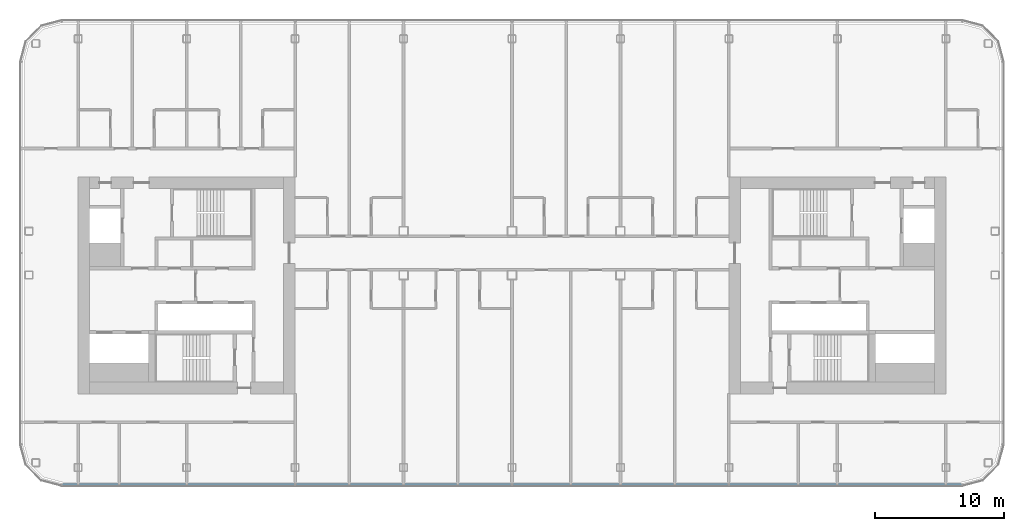
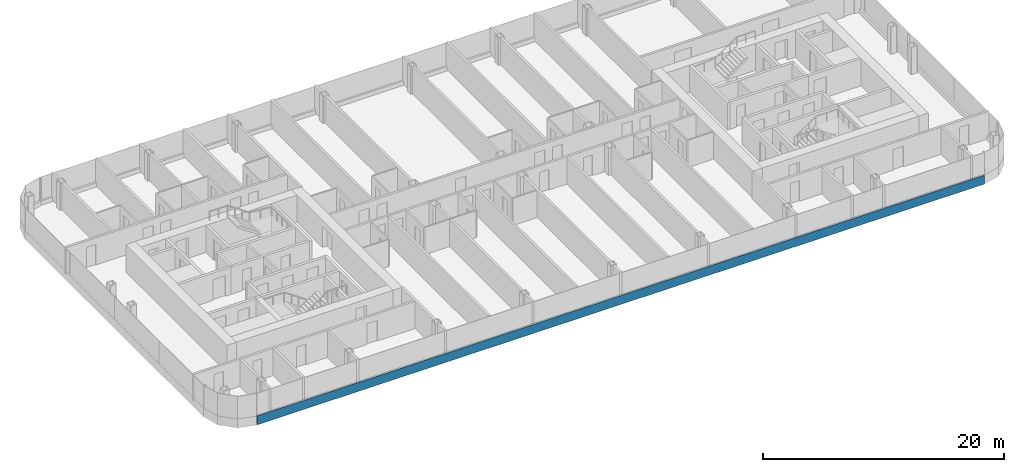
# One storey, part 4 of 26: 1 member, 1 element without a shape of its own.
"""IFC4 building model written with IfcOpenShell, lengths in metres."""

from ifc_helpers import new_model, si_unit, direction, frame, origin, origin_2d, place, context, subcontext, project, spatial, rectangle, extrude, material, layer, layer_set, material_profile, profile_set, type_object, element, aggregate, save


model = new_model("IFC4")

# Units and contexts
model_context = context("Model", 3, precision=1e-05, world=origin(), true_north=direction((0.0, 1.0)))
body_context = subcontext(model_context, "Body", "Model", "MODEL_VIEW")
ifc_project = project(units=[si_unit("LENGTHUNIT", "METRE"), si_unit("AREAUNIT", "SQUARE_METRE"), si_unit("VOLUMEUNIT", "CUBIC_METRE"), si_unit("PLANEANGLEUNIT", "RADIAN"), si_unit("MASSUNIT", "GRAM", prefix="KILO")], contexts=[model_context])

# Site, building, storey
site_placement = place(None, origin())
site = spatial("IfcSite", under=ifc_project, at=site_placement, CompositionType="ELEMENT")
building_placement = place(site_placement, origin())
building = spatial("IfcBuilding", under=site, at=building_placement, Name="Hakoniwa Tower and Hamabe Station Hall", CompositionType="ELEMENT")
storey_placement = place(building_placement, frame((0.0, 0.0, 189.800048828125)))
storey = spatial("IfcBuildingStorey", under=building, at=storey_placement, Name="L53", CompositionType="ELEMENT", Elevation=189.800048828125)

# Curtain wall, member
ifc_material_1 = material(Name="Dark low-e laminated glass", Category="glass")
ifc_layer = layer(ifc_material_1, 0.199951171875)
ifc_layer_set = layer_set([ifc_layer], Name="CW-1 UNITISED GUEST")
curtain_wall_type = type_object("IfcCurtainWallType", Name="CW-1 UNITISED GUEST", PredefinedType="NOTDEFINED", material=ifc_layer_set)
curtain_wall_placement = place(storey_placement, origin())
curtain_wall = element("IfcCurtainWall", 1, at=curtain_wall_placement, inside=storey, type_object=curtain_wall_type, Name="CW-1 curtain wall", PredefinedType="NOTDEFINED")
ifc_material_2 = material(Name="Aluminium 6063-T5 black anodised", Category="aluminium")
ifc_material_profile = material_profile(ifc_material_2, rectangle(XDim=0.199951171875, YDim=0.89990234375, at=origin_2d()), Name="CW SLAB-EDGE BAND 900X200")
ifc_profile_set = profile_set([ifc_material_profile], Name="Aluminium 6063-T5 black anodised")
member_type = type_object("IfcMemberType", Name="CW SLAB-EDGE BAND 900X200", PredefinedType="USERDEFINED", material=ifc_profile_set)
member_placement = place(storey_placement, frame((-34.839599609375, -15.449951171875, -0.10009765625), z_axis=(1.0, 0.0, 0.0), x_axis=(0.0, 1.0, 0.0)))
member = element("IfcMember", 2, at=member_placement, type_object=member_type, Name="CW-1 transom", ObjectType="TRANSOM", PredefinedType="USERDEFINED", context=body_context, shape_type="SweptSolid", body=[
    extrude(rectangle(XDim=0.199951171875, YDim=0.89990234375, at=origin_2d()), origin(), (0.0, 0.0, 1.0), 69.67919921875),
])
aggregate(curtain_wall, [member])

save(model, "model.ifc")
